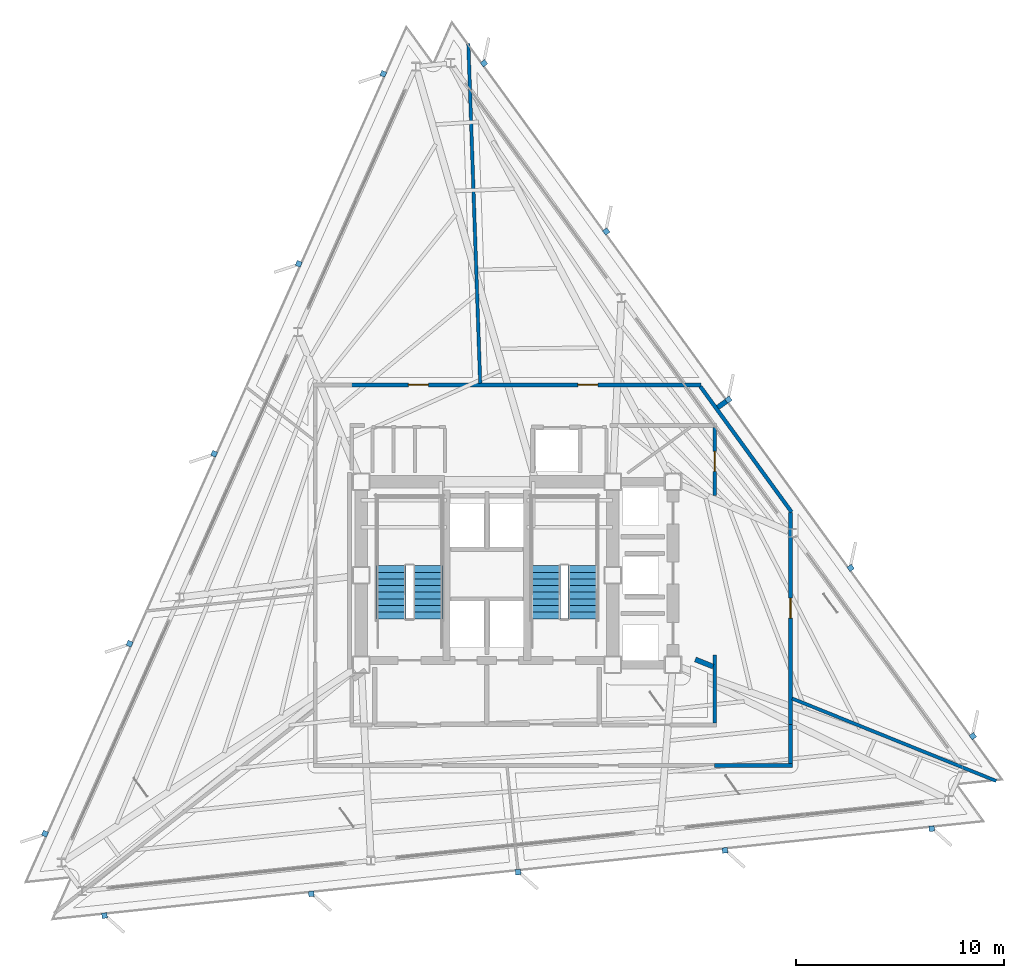
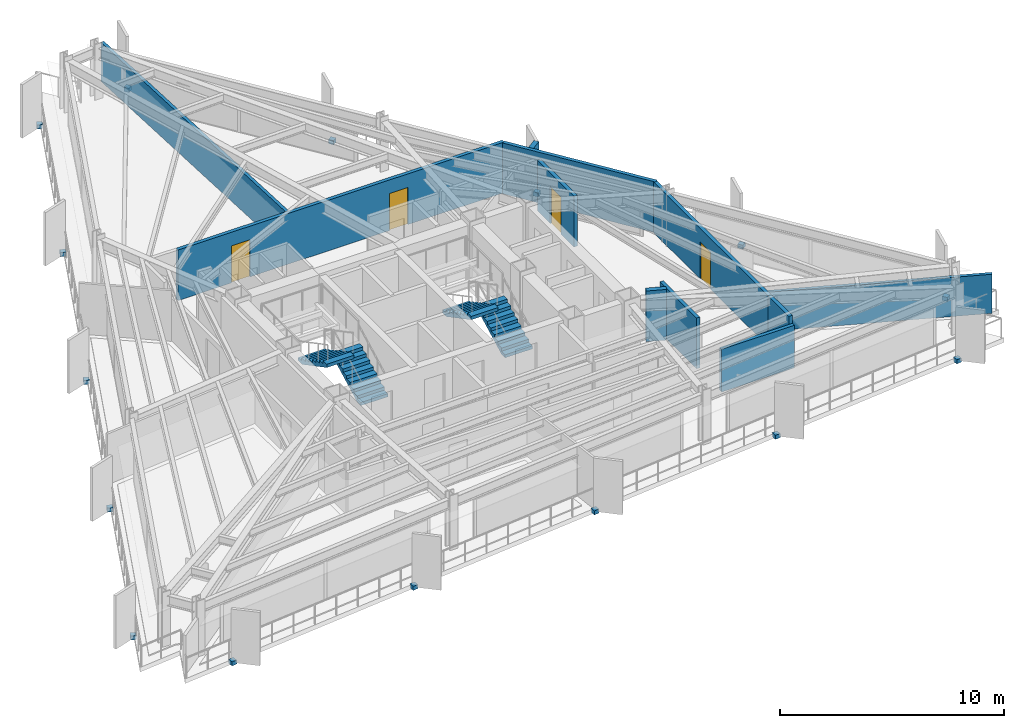
# One storey, part 9 of 12: 15 discrete accessories, 11 walls, 4 doors, 4 stair flights, 4 openings, 2 elements without a shape of their own.
"""IFC4 building model written with IfcOpenShell, lengths in metres."""

from ifc_helpers import new_model, si_unit, direction, frame, frame_2d, origin, origin_2d, place, context, subcontext, project, spatial, polyline, rectangle, outline, extrude, material, layer, layer_set, type_object, element, fill, aggregate, save


model = new_model("IFC4")

# Units and contexts
model_context = context("Model", 3, precision=1e-05, world=origin(), true_north=direction((0.0, 1.0)))
body_context = subcontext(model_context, "Body", "Model", "MODEL_VIEW")
ifc_project = project(units=[si_unit("LENGTHUNIT", "METRE"), si_unit("AREAUNIT", "SQUARE_METRE"), si_unit("VOLUMEUNIT", "CUBIC_METRE"), si_unit("PLANEANGLEUNIT", "RADIAN"), si_unit("MASSUNIT", "GRAM", prefix="KILO")], contexts=[model_context])

# Site, building, storey
site_placement = place(None, origin())
site = spatial("IfcSite", under=ifc_project, at=site_placement, CompositionType="ELEMENT")
building_placement = place(site_placement, origin())
building = spatial("IfcBuilding", under=site, at=building_placement, Name="Rocaltana Carrier Exchange", CompositionType="ELEMENT")
storey_placement = place(building_placement, frame((0.0, 0.0, 107.679931640625)))
storey = spatial("IfcBuildingStorey", under=building, at=storey_placement, Name="L33", CompositionType="ELEMENT", Elevation=107.679931640625)

# Walls
ifc_material_1 = material(Name="Double Acoustic Gypsum Partition", Category="gypsum")
ifc_layer_1 = layer(ifc_material_1, 0.159912109375)
ifc_layer_set_1 = layer_set([ifc_layer_1], Name="Double Acoustic Gypsum Partition")
wall_type_1 = type_object("IfcWallType", Name="Acoustic Studio Partition 160 EI60", PredefinedType="PARTITIONING", material=ifc_layer_set_1)
wall_1_placement = place(storey_placement, frame((14.679931640625, -5.93115234375, 0.0), z_axis=(0.0, 0.0, 1.0), x_axis=(0.927187622353, -0.374597267682, 0.0)))
element("IfcWall", 1, at=wall_1_placement, inside=storey, type_object=wall_type_1, Name="L33 Suite Divider Wall D6", PredefinedType="PARTITIONING", context=body_context, shape_type="SweptSolid", body=[
    extrude(rectangle(XDim=10.586181640625, YDim=0.159912109375, at=frame_2d((5.29296875, 0.0))), origin(), (0.0, 0.0, 1.0), 2.132080078125),
])
wall_2_placement = place(storey_placement, frame((-0.322265625, 9.22998046875, 0.0), z_axis=(0.0, 0.0, 1.0), x_axis=(-0.034907078812, 0.999390562217, 0.0)))
element("IfcWall", 2, at=wall_2_placement, inside=storey, type_object=wall_type_1, Name="L33 Suite Divider Wall D9", PredefinedType="PARTITIONING", context=body_context, shape_type="SweptSolid", body=[
    extrude(rectangle(XDim=16.35205078125, YDim=0.159912109375, at=frame_2d((8.176025390625, 0.0))), origin(), (0.0, 0.0, 1.0), 2.132080078125),
])

# Wall, openings, doors
ifc_material_2 = material(Name="Gypsum & Steel Stud Partition", Category="steel")
ifc_layer_2 = layer(ifc_material_2, 0.179931640625)
ifc_layer_set_2 = layer_set([ifc_layer_2], Name="Gypsum & Steel Stud Partition")
wall_type_2 = type_object("IfcWallType", Name="Corridor Fire Partition 180 EI60", PredefinedType="PARTITIONING", material=ifc_layer_set_2)
wall_3_placement = place(storey_placement, frame((-6.52001953125, 9.14990234375, 0.0), z_axis=(0.0, 0.0, 1.0), x_axis=(1.0, 0.0, 0.0)))
wall_3 = element("IfcWall", 3, at=wall_3_placement, inside=storey, type_object=wall_type_2, Name="L33 Corridor Partition 6", PredefinedType="PARTITIONING", context=body_context, shape_type="SweptSolid", body=[
    extrude(rectangle(XDim=16.820068359375, YDim=0.179931640625, at=frame_2d((8.41015625, 0.0))), origin(), (0.0, 0.0, 1.0), 2.76318359375),
])
opening_1_placement = place(wall_3_placement, frame((10.8984375, 0.0, 0.0)))
opening_1 = element("IfcOpeningElement", 4, at=opening_1_placement, cuts=wall_3, Name="Opening D-RM098", PredefinedType="OPENING", context=body_context, shape_type="SweptSolid", body=[
    extrude(rectangle(XDim=0.9599609375, YDim=2.02001953125, at=frame_2d((0.47998046875, 1.010009765625))), frame((0.0, 0.099853515625, 0.0), z_axis=(0.0, -1.0, 0.0), x_axis=(1.0, 0.0, 0.0)), (0.0, 0.0, 1.0), 0.199951171875),
])
opening_2_placement = place(wall_3_placement, frame((2.7490234375, 0.0, 0.0)))
opening_2 = element("IfcOpeningElement", 5, at=opening_2_placement, cuts=wall_3, Name="Opening D-RM098", PredefinedType="OPENING", context=body_context, shape_type="SweptSolid", body=[
    extrude(rectangle(XDim=0.9599609375, YDim=2.02001953125, at=frame_2d((0.47998046875, 1.010009765625))), frame((0.0, 0.099853515625, 0.0), z_axis=(0.0, -1.0, 0.0), x_axis=(1.0, 0.0, 0.0)), (0.0, 0.0, 1.0), 0.199951171875),
])
ifc_material_3 = material(Name="Engineered Hardwood Timber", Category="wood")
door_type = type_object("IfcDoorType", Name="Workspace Single Door 960x2020", OperationType="NOTDEFINED", PredefinedType="DOOR", material=ifc_material_3)
door_1_placement = place(opening_1_placement, origin())
door_1 = element("IfcDoor", 6, at=door_1_placement, inside=storey, type_object=door_type, Name="L33 Quiet Focus Lounge Entrance Door", OperationType="SINGLE_SWING_LEFT", OverallHeight=2.02001953125, OverallWidth=0.9599609375, PredefinedType="DOOR", context=body_context, shape_type="SweptSolid", body=[
    extrude(rectangle(XDim=0.9599609375, YDim=2.02001953125, at=frame_2d((0.47998046875, 1.010009765625))), frame((0.0, 0.02490234375, 0.0), z_axis=(0.0, -1.0, 0.0), x_axis=(1.0, 0.0, 0.0)), (0.0, 0.0, 1.0), 0.050048828125),
])
fill(opening_1, door_1)
door_2_placement = place(opening_2_placement, origin())
door_2 = element("IfcDoor", 7, at=door_2_placement, inside=storey, type_object=door_type, Name="L33 Cloud Architecture Office Entrance Door", OperationType="SINGLE_SWING_RIGHT", OverallHeight=2.02001953125, OverallWidth=0.9599609375, PredefinedType="DOOR", context=body_context, shape_type="SweptSolid", body=[
    extrude(rectangle(XDim=0.9599609375, YDim=2.02001953125, at=frame_2d((0.47998046875, 1.010009765625))), frame((0.0, 0.02490234375, 0.0), z_axis=(0.0, -1.0, 0.0), x_axis=(1.0, 0.0, 0.0)), (0.0, 0.0, 1.0), 0.050048828125),
])
fill(opening_2, door_2)

# Wall
wall_4_placement = place(storey_placement, frame((10.262939453125, 9.0771484375, 0.0), z_axis=(0.0, 0.0, 1.0), x_axis=(0.587780951295, -0.809020119215, 0.0)))
element("IfcWall", 8, at=wall_4_placement, inside=storey, type_object=wall_type_2, Name="L33 Corridor Partition 7", PredefinedType="PARTITIONING", context=body_context, shape_type="SweptSolid", body=[
    extrude(rectangle(XDim=7.468505859375, YDim=0.179931640625, at=frame_2d((3.734375, 0.0))), origin(), (0.0, 0.0, 1.0), 2.76318359375),
])

# Wall, opening, door
wall_5_placement = place(storey_placement, frame((14.60009765625, 3.017578125, 0.0), z_axis=(0.0, 0.0, 1.0), x_axis=(0.0, -1.0, 0.0)))
wall_5 = element("IfcWall", 9, at=wall_5_placement, inside=storey, type_object=wall_type_2, Name="L33 Corridor Partition 8", PredefinedType="PARTITIONING", context=body_context, shape_type="SweptSolid", body=[
    extrude(rectangle(XDim=10.237548828125, YDim=0.179931640625, at=frame_2d((5.11865234375, 0.0))), origin(), (0.0, 0.0, 1.0), 2.76318359375),
])
opening_3_placement = place(wall_5_placement, frame((4.123779296875, 0.0, 0.0)))
opening_3 = element("IfcOpeningElement", 10, at=opening_3_placement, cuts=wall_5, Name="Opening D-RM098", PredefinedType="OPENING", context=body_context, shape_type="SweptSolid", body=[
    extrude(rectangle(XDim=0.9599609375, YDim=2.02001953125, at=frame_2d((0.47998046875, 1.010009765625))), frame((0.0, 0.099853515625, 0.0), z_axis=(0.0, -1.0, 0.0), x_axis=(1.0, 0.0, 0.0)), (0.0, 0.0, 1.0), 0.199951171875),
])
door_3_placement = place(opening_3_placement, origin())
door_3 = element("IfcDoor", 11, at=door_3_placement, inside=storey, type_object=door_type, Name="L33 Peering Conference Room Entrance Door", OperationType="SINGLE_SWING_LEFT", OverallHeight=2.02001953125, OverallWidth=0.9599609375, PredefinedType="DOOR", context=body_context, shape_type="SweptSolid", body=[
    extrude(rectangle(XDim=0.9599609375, YDim=2.02001953125, at=frame_2d((0.47998046875, 1.010009765625))), frame((0.0, 0.02490234375, 0.0), z_axis=(0.0, -1.0, 0.0), x_axis=(1.0, 0.0, 0.0)), (0.0, 0.0, 1.0), 0.050048828125),
])
fill(opening_3, door_3)

# Walls
wall_6_placement = place(storey_placement, frame((14.60009765625, -7.179931640625, 0.0), z_axis=(0.0, 0.0, 1.0), x_axis=(0.0, -1.0, 0.0)))
element("IfcWall", 12, at=wall_6_placement, inside=storey, type_object=wall_type_2, Name="L33 Corridor Partition 9", PredefinedType="PARTITIONING", context=body_context, shape_type="SweptSolid", body=[
    extrude(rectangle(XDim=1.880126953125, YDim=0.179931640625, at=frame_2d((0.93994140625, 0.0))), origin(), (0.0, 0.0, 1.0), 2.76318359375),
])
wall_7_placement = place(storey_placement, frame((14.68994140625, -9.14990234375, 0.0), z_axis=(0.0, 0.0, 1.0), x_axis=(-1.0, 0.0, 0.0)))
element("IfcWall", 13, at=wall_7_placement, inside=storey, type_object=wall_type_2, Name="L33 Corridor Partition 10", PredefinedType="PARTITIONING", context=body_context, shape_type="SweptSolid", body=[
    extrude(rectangle(XDim=3.75, YDim=0.179931640625, at=frame_2d((1.875, 0.0))), origin(), (0.0, 0.0, 1.0), 2.330078125),
])
wall_8_placement = place(storey_placement, frame((10.9599609375, -7.110107421875, 0.0), z_axis=(0.0, 0.0, 1.0), x_axis=(0.0, 1.0, 0.0)))
element("IfcWall", 14, at=wall_8_placement, inside=storey, type_object=wall_type_2, Name="L33 Corridor Partition 13", PredefinedType="PARTITIONING", context=body_context, shape_type="SweptSolid", body=[
    extrude(rectangle(XDim=3.2705078125, YDim=0.179931640625, at=frame_2d((1.63525390625, 0.0))), origin(), (0.0, 0.0, 1.0), 2.76318359375),
])

# Wall, opening, door
wall_9_placement = place(storey_placement, frame((10.9599609375, 3.839599609375, 0.0), z_axis=(0.0, 0.0, 1.0), x_axis=(0.0, 1.0, 0.0)))
wall_9 = element("IfcWall", 15, at=wall_9_placement, inside=storey, type_object=wall_type_2, Name="L33 Corridor Partition 14", PredefinedType="PARTITIONING", context=body_context, shape_type="SweptSolid", body=[
    extrude(rectangle(XDim=3.2705078125, YDim=0.179931640625, at=frame_2d((1.63525390625, 0.0))), origin(), (0.0, 0.0, 1.0), 2.76318359375),
])
opening_4_placement = place(wall_9_placement, frame((1.1552734375, 0.0, 0.0)))
opening_4 = element("IfcOpeningElement", 16, at=opening_4_placement, cuts=wall_9, Name="Opening D-RM098", PredefinedType="OPENING", context=body_context, shape_type="SweptSolid", body=[
    extrude(rectangle(XDim=0.9599609375, YDim=2.02001953125, at=frame_2d((0.47998046875, 1.010009765625))), frame((0.0, 0.099853515625, 0.0), z_axis=(0.0, -1.0, 0.0), x_axis=(1.0, 0.0, 0.0)), (0.0, 0.0, 1.0), 0.199951171875),
])
door_4_placement = place(opening_4_placement, origin())
door_4 = element("IfcDoor", 17, at=door_4_placement, inside=storey, type_object=door_type, Name="L33 Network Operations Office Entrance Door", OperationType="SINGLE_SWING_RIGHT", OverallHeight=2.02001953125, OverallWidth=0.9599609375, PredefinedType="DOOR", context=body_context, shape_type="SweptSolid", body=[
    extrude(rectangle(XDim=0.9599609375, YDim=2.02001953125, at=frame_2d((0.47998046875, 1.010009765625))), frame((0.0, 0.02490234375, 0.0), z_axis=(0.0, -1.0, 0.0), x_axis=(1.0, 0.0, 0.0)), (0.0, 0.0, 1.0), 0.050048828125),
])
fill(opening_4, door_4)

# Walls
ifc_material_4 = material(Name="Acoustic Calcium Silicate Partition", Category="gypsum")
ifc_layer_3 = layer(ifc_material_4, 0.239990234375)
ifc_layer_set_3 = layer_set([ifc_layer_3], Name="Acoustic Calcium Silicate Partition")
wall_type_3 = type_object("IfcWallType", Name="Heavy Lab Partition 240 EI90", PredefinedType="PARTITIONING", material=ifc_layer_set_3)
wall_10_placement = place(storey_placement, frame((10.024169921875, -4.050048828125, 0.0), z_axis=(0.0, 0.0, 1.0), x_axis=(0.927194137639, -0.374581140912, 0.0)))
element("IfcWall", 18, at=wall_10_placement, inside=storey, type_object=wall_type_3, Name="L33 Suite Divider Wall D5", PredefinedType="PARTITIONING", context=body_context, shape_type="SweptSolid", body=[
    extrude(rectangle(XDim=0.9228515625, YDim=0.239990234375, at=frame_2d((0.46142578125, 0.0))), origin(), (0.0, 0.0, 1.0), 2.76318359375),
])
wall_11_placement = place(storey_placement, frame((11.098388671875, 8.0634765625, 0.0), z_axis=(0.0, 0.0, 1.0), x_axis=(0.809093866449, 0.587679432408, 0.0)))
element("IfcWall", 19, at=wall_11_placement, inside=storey, type_object=wall_type_3, Name="L33 Suite Divider Wall D8", PredefinedType="PARTITIONING", context=body_context, shape_type="SweptSolid", body=[
    extrude(rectangle(XDim=0.58984375, YDim=0.239990234375, at=frame_2d((0.294921875, 0.0))), origin(), (0.0, 0.0, 1.0), 2.76318359375),
])

# Stair, stair flights
ifc_material_5 = material(Name="Precast concrete C45/55", Category="concrete")
stair_type = type_object("IfcStairType", Name="Standard Dog-Leg Stair 160", PredefinedType="HALF_TURN_STAIR", material=ifc_material_5)
stair_1_placement = place(storey_placement, origin())
stair_1 = element("IfcStair", 20, at=stair_1_placement, inside=storey, type_object=stair_type, Name="L33 Core West Exit Stair ST-1", PredefinedType="HALF_TURN_STAIR")
ifc_material_6 = material(Name="Precast concrete C45/55", Category="concrete")
stair_flight_type = type_object("IfcStairFlightType", Name="Precast Stair Flight 160", PredefinedType="STRAIGHT", material=ifc_material_6)
stair_flight_1_placement = place(storey_placement, frame((-2.840087890625, -2.10009765625, 0.0), z_axis=(0.0, 0.0, 1.0), x_axis=(0.0, 1.0, 0.0)))
stair_flight_1 = element("IfcStairFlight", 21, at=stair_flight_1_placement, type_object=stair_flight_type, Name="ST-1 flight 1", NumberOfRisers=9, NumberOfTreads=8, PredefinedType="STRAIGHT", RiserHeight=0.168888889, TreadLength=0.32, context=body_context, shape_type="SweptSolid", body=[
    extrude(outline(polyline([(0.0, 0.0), (0.0, 0.1689453125), (0.320068359375, 0.1689453125), (0.320068359375, 0.337890625), (0.639892578125, 0.337890625), (0.639892578125, 0.506591796875), (0.9599609375, 0.506591796875), (0.9599609375, 0.675537109375), (1.280029296875, 0.675537109375), (1.280029296875, 0.844482421875), (1.60009765625, 0.844482421875), (1.60009765625, 1.013427734375), (1.919921875, 1.013427734375), (1.919921875, 1.18212890625), (2.239990234375, 1.18212890625), (2.239990234375, 1.35107421875), (2.56005859375, 1.35107421875), (2.56005859375, 1.52001953125), (2.56005859375, 1.17041015625), (0.342529296875, 0.0), (0.0, 0.0)])), frame((0.0, 0.699951171875, 0.0), z_axis=(0.0, -1.0, 0.0), x_axis=(1.0, 0.0, 0.0)), (0.0, 0.0, 1.0), 1.39990234375),
])
stair_flight_2_placement = place(storey_placement, frame((-4.60009765625, 0.4599609375, 1.52001953125), z_axis=(0.0, 0.0, 1.0), x_axis=(0.0, -1.0, 0.0)))
stair_flight_2 = element("IfcStairFlight", 22, at=stair_flight_2_placement, type_object=stair_flight_type, Name="ST-1 flight 2", NumberOfRisers=9, NumberOfTreads=8, PredefinedType="STRAIGHT", RiserHeight=0.168888889, TreadLength=0.32, context=body_context, shape_type="SweptSolid", body=[
    extrude(outline(polyline([(0.0, 0.0), (0.0, 0.1689453125), (0.320068359375, 0.1689453125), (0.320068359375, 0.337890625), (0.639892578125, 0.337890625), (0.639892578125, 0.506591796875), (0.9599609375, 0.506591796875), (0.9599609375, 0.675537109375), (1.280029296875, 0.675537109375), (1.280029296875, 0.844482421875), (1.60009765625, 0.844482421875), (1.60009765625, 1.013427734375), (1.919921875, 1.013427734375), (1.919921875, 1.18212890625), (2.239990234375, 1.18212890625), (2.239990234375, 1.35107421875), (2.56005859375, 1.35107421875), (2.56005859375, 1.52001953125), (2.56005859375, 1.17041015625), (0.342529296875, 0.0), (0.0, 0.0)])), frame((0.0, 0.699951171875, 0.0), z_axis=(0.0, -1.0, 0.0), x_axis=(1.0, 0.0, 0.0)), (0.0, 0.0, 1.0), 1.39990234375),
])
aggregate(stair_1, [stair_flight_1, stair_flight_2])

stair_2_placement = place(storey_placement, origin())
stair_2 = element("IfcStair", 23, at=stair_2_placement, inside=storey, type_object=stair_type, Name="L33 Core East Exit Stair ST-2", PredefinedType="HALF_TURN_STAIR")
stair_flight_3_placement = place(storey_placement, frame((4.60009765625, -2.10009765625, 0.0), z_axis=(0.0, 0.0, 1.0), x_axis=(0.0, 1.0, 0.0)))
stair_flight_3 = element("IfcStairFlight", 24, at=stair_flight_3_placement, type_object=stair_flight_type, Name="ST-2 flight 1", NumberOfRisers=9, NumberOfTreads=8, PredefinedType="STRAIGHT", RiserHeight=0.168888889, TreadLength=0.32, context=body_context, shape_type="SweptSolid", body=[
    extrude(outline(polyline([(0.0, 0.0), (0.0, 0.1689453125), (0.320068359375, 0.1689453125), (0.320068359375, 0.337890625), (0.639892578125, 0.337890625), (0.639892578125, 0.506591796875), (0.9599609375, 0.506591796875), (0.9599609375, 0.675537109375), (1.280029296875, 0.675537109375), (1.280029296875, 0.844482421875), (1.60009765625, 0.844482421875), (1.60009765625, 1.013427734375), (1.919921875, 1.013427734375), (1.919921875, 1.18212890625), (2.239990234375, 1.18212890625), (2.239990234375, 1.35107421875), (2.56005859375, 1.35107421875), (2.56005859375, 1.52001953125), (2.56005859375, 1.17041015625), (0.342529296875, 0.0), (0.0, 0.0)])), frame((0.0, 0.699951171875, 0.0), z_axis=(0.0, -1.0, 0.0), x_axis=(1.0, 0.0, 0.0)), (0.0, 0.0, 1.0), 1.39990234375),
])
stair_flight_4_placement = place(storey_placement, frame((2.840087890625, 0.4599609375, 1.52001953125), z_axis=(0.0, 0.0, 1.0), x_axis=(0.0, -1.0, 0.0)))
stair_flight_4 = element("IfcStairFlight", 25, at=stair_flight_4_placement, type_object=stair_flight_type, Name="ST-2 flight 2", NumberOfRisers=9, NumberOfTreads=8, PredefinedType="STRAIGHT", RiserHeight=0.168888889, TreadLength=0.32, context=body_context, shape_type="SweptSolid", body=[
    extrude(outline(polyline([(0.0, 0.0), (0.0, 0.1689453125), (0.320068359375, 0.1689453125), (0.320068359375, 0.337890625), (0.639892578125, 0.337890625), (0.639892578125, 0.506591796875), (0.9599609375, 0.506591796875), (0.9599609375, 0.675537109375), (1.280029296875, 0.675537109375), (1.280029296875, 0.844482421875), (1.60009765625, 0.844482421875), (1.60009765625, 1.013427734375), (1.919921875, 1.013427734375), (1.919921875, 1.18212890625), (2.239990234375, 1.18212890625), (2.239990234375, 1.35107421875), (2.56005859375, 1.35107421875), (2.56005859375, 1.52001953125), (2.56005859375, 1.17041015625), (0.342529296875, 0.0), (0.0, 0.0)])), frame((0.0, 0.699951171875, 0.0), z_axis=(0.0, -1.0, 0.0), x_axis=(1.0, 0.0, 0.0)), (0.0, 0.0, 1.0), 1.39990234375),
])
aggregate(stair_2, [stair_flight_3, stair_flight_4])

# Discrete accessories
ifc_material_7 = material(Name="Brushed Architectural Stainless Metal", Category="steel")
ifc_layer_4 = layer(ifc_material_7, 0.219970703125)
ifc_layer_set_4 = layer_set([ifc_layer_4], Name="Brushed Architectural Stainless Metal")
discrete_accessory_type = type_object("IfcDiscreteAccessoryType", Name="Stainless Fin Slab-Edge Bracket 260x260x220", PredefinedType="BRACKET", material=ifc_layer_set_4)
for number, where, z_axis, x_axis, name in (
    (26, (23.371826171875, -7.74072265625, -0.2099609375), (0.0, 0.0, 1.0), (-0.587785252292, 0.809016994375, 0.0), "L33 Sandstone Fin Edge Bracket F1-01"),
    (27, (17.493896484375, 0.349365234375, -0.2099609375), (0.0, 0.0, 1.0), (-0.587785252292, 0.809016994375, 0.0), "L33 Sandstone Fin Edge Bracket F1-02"),
    (28, (11.6162109375, 8.439697265625, -0.2099609375), (0.0, 0.0, 1.0), (-0.587785252292, 0.809016994375, 0.0), "L33 Sandstone Fin Edge Bracket F1-03"),
    (29, (5.73828125, 16.52978515625, -0.2099609375), (0.0, 0.0, 1.0), (-0.587785252292, 0.809016994375, 0.0), "L33 Sandstone Fin Edge Bracket F1-04"),
    (30, (-0.1396484375, 24.619873046875, -0.2099609375), (0.0, 0.0, 1.0), (-0.587785252292, 0.809016994375, 0.0), "L33 Sandstone Fin Edge Bracket F1-05"),
    (31, (-4.982177734375, 24.111083984375, -0.2099609375), (0.0, 0.0, 1.0), (-0.406736643076, -0.913545457643, 0.0), "L33 Sandstone Fin Edge Bracket F2-01"),
    (32, (-9.049560546875, 14.9755859375, -0.2099609375), (0.0, 0.0, 1.0), (-0.406736643076, -0.913545457643, 0.0), "L33 Sandstone Fin Edge Bracket F2-02"),
    (33, (-13.116943359375, 5.840087890625, -0.2099609375), (0.0, 0.0, 1.0), (-0.406736643076, -0.913545457643, 0.0), "L33 Sandstone Fin Edge Bracket F2-03"),
    (34, (-17.184326171875, -3.29541015625, -0.2099609375), (0.0, 0.0, 1.0), (-0.406736643076, -0.913545457643, 0.0), "L33 Sandstone Fin Edge Bracket F2-04"),
    (35, (-21.251708984375, -12.430908203125, -0.2099609375), (0.0, 0.0, 1.0), (-0.406736643076, -0.913545457643, 0.0), "L33 Sandstone Fin Edge Bracket F2-05"),
    (36, (-18.3896484375, -16.3701171875, -0.2099609375), (0.0, 0.0, 1.0), (0.994521895368, 0.104528463268, 0.0), "L33 Sandstone Fin Edge Bracket F3-01"),
    (37, (-8.4443359375, -15.324951171875, -0.2099609375), (0.0, 0.0, 1.0), (0.994521895368, 0.104528463268, 0.0), "L33 Sandstone Fin Edge Bracket F3-02"),
    (38, (1.500732421875, -14.279541015625, -0.2099609375), (0.0, 0.0, 1.0), (0.994521895368, 0.104528463268, 0.0), "L33 Sandstone Fin Edge Bracket F3-03"),
    (39, (11.446044921875, -13.234375, -0.2099609375), (0.0, 0.0, 1.0), (0.994521895368, 0.104528463268, 0.0), "L33 Sandstone Fin Edge Bracket F3-04"),
    (40, (21.391357421875, -12.189208984375, -0.2099609375), (0.0, 0.0, 1.0), (0.994521895368, 0.104528463268, 0.0), "L33 Sandstone Fin Edge Bracket F3-05"),
):
    element("IfcDiscreteAccessory", number, at=place(storey_placement, frame(where, z_axis=z_axis, x_axis=x_axis)), inside=storey, type_object=discrete_accessory_type, Name=name, PredefinedType="BRACKET", context=body_context, shape_type="SweptSolid", body=[
        extrude(rectangle(XDim=0.260009765625, YDim=0.260009765625, at=origin_2d()), origin(), (0.0, 0.0, 1.0), 0.219970703125),
    ])

save(model, "model.ifc")
